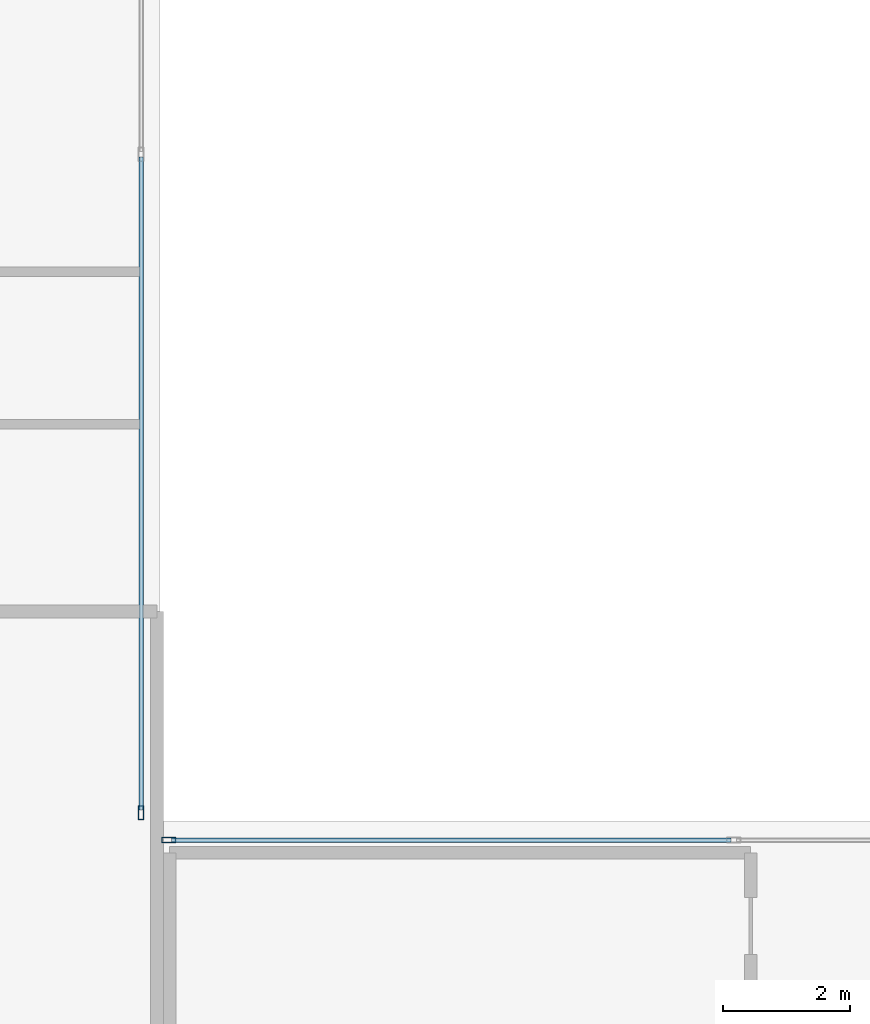
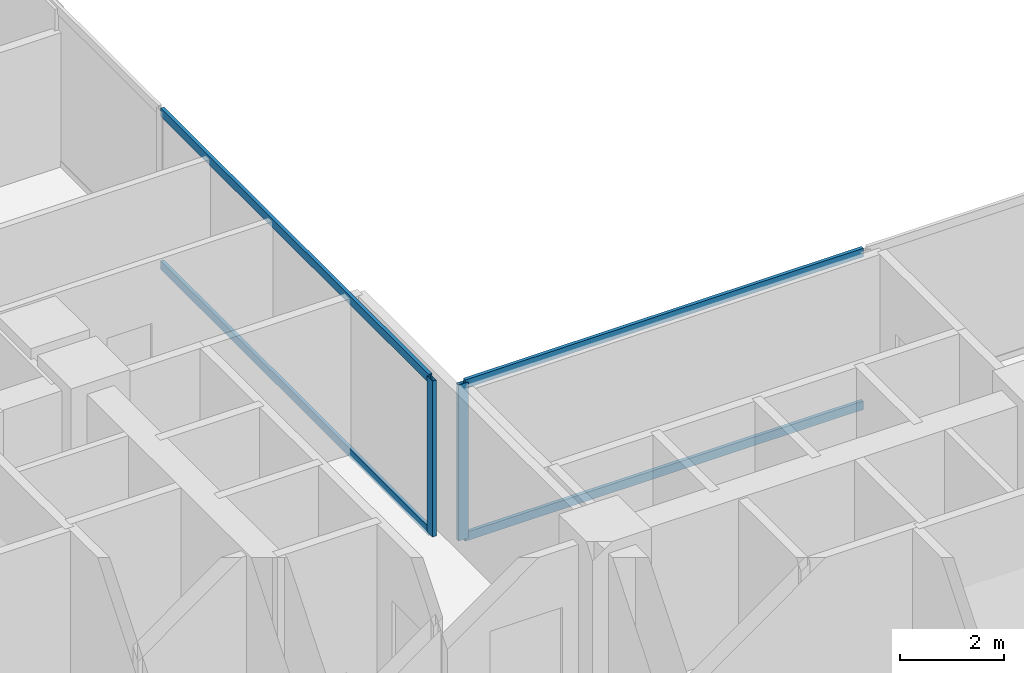
# One storey, part 7 of 25: 6 members, 2 elements without a shape of their own.
"""IFC4 building model written with IfcOpenShell, lengths in metres."""

from ifc_helpers import new_model, si_unit, direction, frame, origin, origin_2d, place, context, subcontext, project, spatial, hollow_rectangle, extrude, material, layer, layer_set, material_profile, profile_set, type_object, element, aggregate, save


model = new_model("IFC4")

# Units and contexts
model_context = context("Model", 3, precision=1e-05, world=origin(), true_north=direction((0.0, 1.0)))
body_context = subcontext(model_context, "Body", "Model", "MODEL_VIEW")
ifc_project = project(units=[si_unit("LENGTHUNIT", "METRE"), si_unit("AREAUNIT", "SQUARE_METRE"), si_unit("VOLUMEUNIT", "CUBIC_METRE"), si_unit("PLANEANGLEUNIT", "RADIAN"), si_unit("MASSUNIT", "GRAM", prefix="KILO"), si_unit("THERMODYNAMICTEMPERATUREUNIT", "KELVIN"), si_unit("POWERUNIT", "WATT")], contexts=[model_context])

# Site, building, storey
site_placement = place(None, origin())
site = spatial("IfcSite", under=ifc_project, at=site_placement, CompositionType="ELEMENT")
building_placement = place(site_placement, origin())
building = spatial("IfcBuilding", under=site, at=building_placement, Name="Svarakhadi Broadcast Tower", CompositionType="ELEMENT")
storey_placement = place(building_placement, frame((0.0, 0.0, 67.5)))
storey = spatial("IfcBuildingStorey", under=building, at=storey_placement, Name="L15", CompositionType="ELEMENT", Elevation=67.5)

# Curtain wall, member
ifc_material = material(Name="Anodised Bronze Aluminium AA 6063-T6", Category="aluminium")
ifc_layer = layer(ifc_material, 0.219970703125)
ifc_layer_set = layer_set([ifc_layer], Name="Anodised Bronze Aluminium AA 6063-T6")
curtain_wall_type = type_object("IfcCurtainWallType", Name="CW_Sys_02", PredefinedType="NOTDEFINED", material=ifc_layer_set)
curtain_wall_1_placement = place(storey_placement, origin())
curtain_wall_1 = element("IfcCurtainWall", 1, at=curtain_wall_1_placement, inside=storey, type_object=curtain_wall_type, Name="L15 Unitised Facade Curtain Wall 09", PredefinedType="NOTDEFINED")
ifc_material_profile_1 = material_profile(ifc_material, hollow_rectangle(XDim=0.0849609375, YDim=0.219970703125, WallThickness=0.006103515625, at=origin_2d()), Name="ALU MULLION 220x85x6")
ifc_profile_set_1 = profile_set([ifc_material_profile_1], Name="Anodised Bronze Aluminium AA 6063-T6")
member_type_1 = type_object("IfcMemberType", Name="CW_Sys_02_Mul", PredefinedType="MULLION", material=ifc_profile_set_1)
member_1_placement = place(storey_placement, frame((23.699951171875, 24.132568359375, 0.0), z_axis=(0.0, 0.0, 1.0), x_axis=(1.0, 0.0, 0.0)))
member_1 = element("IfcMember", 2, at=member_1_placement, type_object=member_type_1, Name="CW-02 mullion 3", PredefinedType="MULLION", context=body_context, shape_type="SweptSolid", body=[
    extrude(hollow_rectangle(XDim=0.0849609375, YDim=0.219970703125, WallThickness=0.006103515625, at=origin_2d()), origin(), (0.0, 0.0, 1.0), 3.64990234375),
])

curtain_wall_2_placement = place(storey_placement, origin())
curtain_wall_2 = element("IfcCurtainWall", 3, at=curtain_wall_2_placement, inside=storey, type_object=curtain_wall_type, Name="L15 Unitised Facade Curtain Wall 10", PredefinedType="NOTDEFINED")
member_2_placement = place(storey_placement, frame((24.132568359375, 23.699951171875, 0.0), z_axis=(0.0, 0.0, 1.0), x_axis=(0.0, 1.0, 0.0)))
member_2 = element("IfcMember", 4, at=member_2_placement, type_object=member_type_1, Name="CW-02 mullion 1", PredefinedType="MULLION", context=body_context, shape_type="SweptSolid", body=[
    extrude(hollow_rectangle(XDim=0.0849609375, YDim=0.219970703125, WallThickness=0.006103515625, at=origin_2d()), origin(), (0.0, 0.0, 1.0), 3.64990234375),
])

# Member
ifc_material_profile_2 = material_profile(ifc_material, hollow_rectangle(XDim=0.074951171875, YDim=0.199951171875, WallThickness=0.0048828125, at=origin_2d()), Name="ALU TRANSOM 200x75x5")
ifc_profile_set_2 = profile_set([ifc_material_profile_2], Name="Anodised Bronze Aluminium AA 6063-T6")
member_type_2 = type_object("IfcMemberType", Name="CW_Sys_02_Trn", PredefinedType="USERDEFINED", material=ifc_profile_set_2)
member_3_placement = place(storey_placement, frame((23.699951171875, 34.45751953125, 0.03759765625), z_axis=(0.0, -1.0, 0.0), x_axis=(1.0, 0.0, 0.0)))
member_3 = element("IfcMember", 5, at=member_3_placement, type_object=member_type_2, Name="CW-02 transom 2.1", ObjectType="TRANSOM", PredefinedType="USERDEFINED", context=body_context, shape_type="SweptSolid", body=[
    extrude(hollow_rectangle(XDim=0.074951171875, YDim=0.199951171875, WallThickness=0.0048828125, at=origin_2d()), origin(), (0.0, 0.0, 1.0), 10.282470703125),
])

member_4_placement = place(storey_placement, frame((23.699951171875, 34.45751953125, 3.612548828125), z_axis=(0.0, -1.0, 0.0), x_axis=(1.0, 0.0, 0.0)))
member_4 = element("IfcMember", 6, at=member_4_placement, type_object=member_type_2, Name="CW-02 transom 2.2", ObjectType="TRANSOM", PredefinedType="USERDEFINED", context=body_context, shape_type="SweptSolid", body=[
    extrude(hollow_rectangle(XDim=0.074951171875, YDim=0.199951171875, WallThickness=0.0048828125, at=origin_2d()), origin(), (0.0, 0.0, 1.0), 10.282470703125),
])

aggregate(curtain_wall_1, [member_1, member_3, member_4])

member_5_placement = place(storey_placement, frame((24.175048828125, 23.699951171875, 0.03759765625), z_axis=(1.0, 0.0, 0.0), x_axis=(0.0, 1.0, 0.0)))
member_5 = element("IfcMember", 7, at=member_5_placement, type_object=member_type_2, Name="CW-02 transom 1.1", ObjectType="TRANSOM", PredefinedType="USERDEFINED", context=body_context, shape_type="SweptSolid", body=[
    extrude(hollow_rectangle(XDim=0.074951171875, YDim=0.199951171875, WallThickness=0.0048828125, at=origin_2d()), origin(), (0.0, 0.0, 1.0), 8.8125),
])

member_6_placement = place(storey_placement, frame((24.175048828125, 23.699951171875, 3.612548828125), z_axis=(1.0, 0.0, 0.0), x_axis=(0.0, 1.0, 0.0)))
member_6 = element("IfcMember", 8, at=member_6_placement, type_object=member_type_2, Name="CW-02 transom 1.2", ObjectType="TRANSOM", PredefinedType="USERDEFINED", context=body_context, shape_type="SweptSolid", body=[
    extrude(hollow_rectangle(XDim=0.074951171875, YDim=0.199951171875, WallThickness=0.0048828125, at=origin_2d()), origin(), (0.0, 0.0, 1.0), 8.8125),
])

aggregate(curtain_wall_2, [member_2, member_5, member_6])

save(model, "model.ifc")
